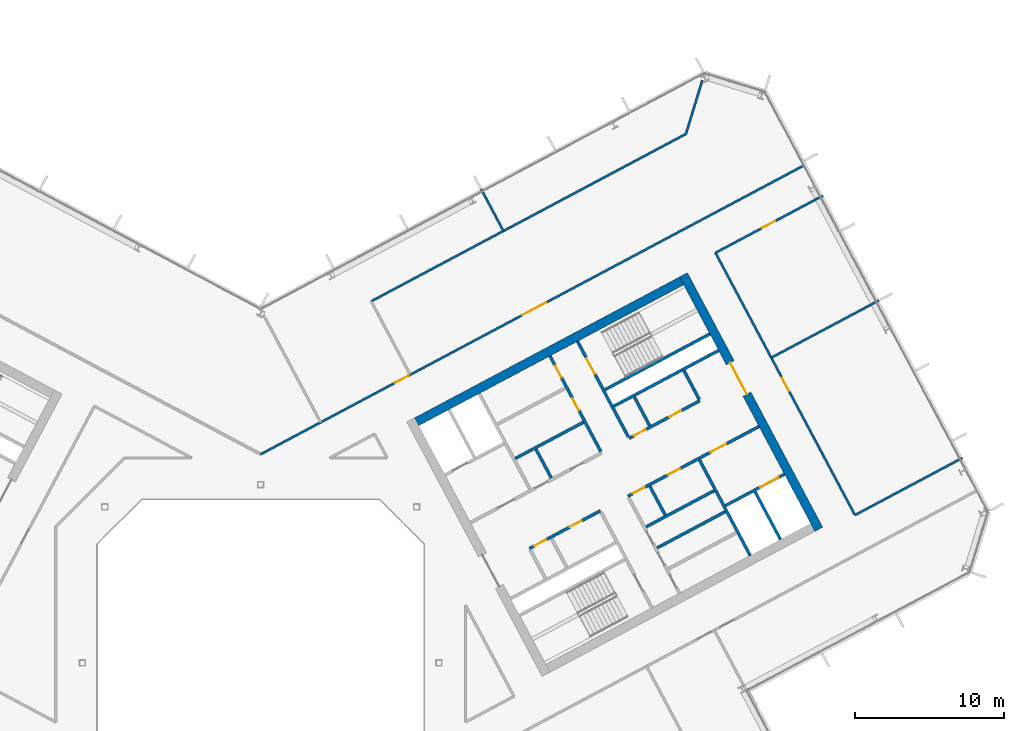
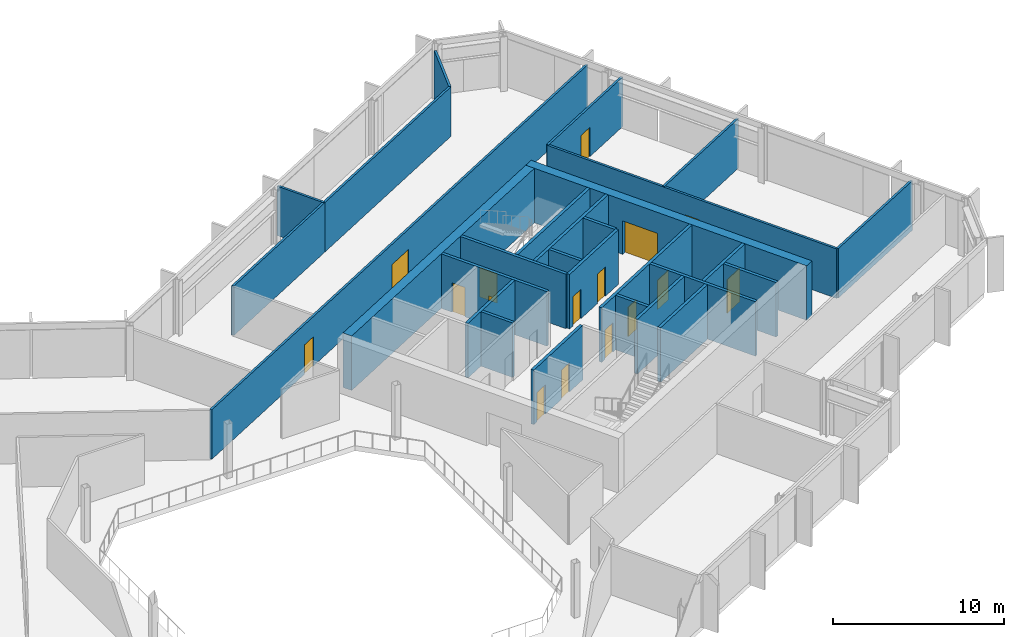
# One storey, part 16 of 26: 28 walls, 16 doors, 16 openings.
"""IFC4 building model written with IfcOpenShell, lengths in metres."""

from ifc_helpers import new_model, si_unit, direction, frame, frame_2d, origin, place, context, subcontext, project, spatial, rectangle, extrude, material, layer, layer_set, type_object, element, fill, save


model = new_model("IFC4")

# Units and contexts
model_context = context("Model", 3, precision=1e-05, world=origin(), true_north=direction((0.0, 1.0)))
body_context = subcontext(model_context, "Body", "Model", "MODEL_VIEW")
ifc_project = project(units=[si_unit("LENGTHUNIT", "METRE"), si_unit("AREAUNIT", "SQUARE_METRE"), si_unit("VOLUMEUNIT", "CUBIC_METRE"), si_unit("PLANEANGLEUNIT", "RADIAN"), si_unit("MASSUNIT", "GRAM", prefix="KILO")], contexts=[model_context])

# Site, building, storey
site_placement = place(None, origin())
site = spatial("IfcSite", under=ifc_project, at=site_placement, CompositionType="ELEMENT")
building_placement = place(site_placement, origin())
building = spatial("IfcBuilding", under=site, at=building_placement, Name="Cormorant Relay Tower", CompositionType="ELEMENT")
storey_placement = place(building_placement, frame((0.0, 0.0, 193.5)))
storey = spatial("IfcBuildingStorey", under=building, at=storey_placement, Name="L41", CompositionType="ELEMENT", Elevation=193.5)

# Walls
ifc_material_1 = material(Name="Concrete 40 MPa", Category="concrete")
ifc_layer_1 = layer(ifc_material_1, 0.199951171875)
ifc_layer_set_1 = layer_set([ifc_layer_1], Name="Core internal wall 200")
wall_type_1 = type_object("IfcWallType", Name="Core internal wall 200", PredefinedType="SOLIDWALL", material=ifc_layer_set_1)
for number, where, z_axis, x_axis, name in (
    (1, (19.568603515625, 12.443603515625, 0.0), (0.0, 0.0, 1.0), (-0.4694473164, 0.882960484464, 0.0), "L41 core B shaft and room wall"),
    (2, (27.236083984375, 9.951416015625, 0.0), (0.0, 0.0, 1.0), (-0.4694473164, 0.882960484464, 0.0), "L41 core B shaft and room wall"),
    (3, (26.19091796875, 15.964599609375, 0.0), (0.0, 0.0, 1.0), (-0.469533832133, 0.882914480843, 0.0), "L41 core B shaft and room wall"),
):
    element("IfcWall", number, at=place(storey_placement, frame(where, z_axis=z_axis, x_axis=x_axis)), inside=storey, type_object=wall_type_1, Name=name, PredefinedType="SOLIDWALL", context=body_context, shape_type="SweptSolid", body=[
        extrude(rectangle(XDim=2.199951171875, YDim=0.199951171875, at=frame_2d((1.10009765625, 0.0))), origin(), (0.0, 0.0, 1.0), 3.89990234375),
    ])
wall_1_placement = place(storey_placement, frame((26.692138671875, 7.73681640625, 0.0), z_axis=(0.0, 0.0, 1.0), x_axis=(0.882953967957, 0.469459572775, 0.0)))
element("IfcWall", 4, at=wall_1_placement, inside=storey, type_object=wall_type_1, Name="L41 core B shaft and room wall", PredefinedType="SOLIDWALL", context=body_context, shape_type="SweptSolid", body=[
    extrude(rectangle(XDim=5.199951171875, YDim=0.199951171875, at=frame_2d((2.60009765625, 0.0))), origin(), (0.0, 0.0, 1.0), 3.89990234375),
])

# Wall, openings, doors
ifc_material_2 = material(Name="Concrete 50 MPa", Category="concrete")
ifc_layer_2 = layer(ifc_material_2, 0.199951171875)
ifc_layer_set_2 = layer_set([ifc_layer_2], Name="Core shaft wall 200")
wall_type_2 = type_object("IfcWallType", Name="Core shaft wall 200", PredefinedType="SHEAR", material=ifc_layer_set_2)
wall_2_placement = place(storey_placement, frame((22.90625, 14.218017578125, 0.0), z_axis=(0.0, 0.0, 1.0), x_axis=(-0.469480409012, 0.88294288918, 0.0)))
wall_2 = element("IfcWall", 5, at=wall_2_placement, inside=storey, type_object=wall_type_2, Name="L41 core B shaft wall", PredefinedType="SHEAR", context=body_context, shape_type="SweptSolid", body=[
    extrude(rectangle(XDim=7.300048828125, YDim=0.199951171875, at=frame_2d((3.64990234375, 0.0))), origin(), (0.0, 0.0, 1.0), 3.89990234375),
])
opening_1_placement = place(wall_2_placement, frame((3.14990234375, 0.0, 0.0)))
opening_1 = element("IfcOpeningElement", 6, at=opening_1_placement, cuts=wall_2, Name="Opening CDD-249", PredefinedType="OPENING", context=body_context, shape_type="SweptSolid", body=[
    extrude(rectangle(XDim=0.89990234375, YDim=2.10009765625, at=frame_2d((0.449951171875, 1.050048828125))), frame((0.0, 0.10986328125, 0.0), z_axis=(0.0, -1.0, 0.0), x_axis=(1.0, 0.0, 0.0)), (0.0, 0.0, 1.0), 0.219970703125),
])
opening_2_placement = place(wall_2_placement, frame((5.64990234375, 0.0, 0.0)))
opening_2 = element("IfcOpeningElement", 7, at=opening_2_placement, cuts=wall_2, Name="Opening CDD-250", PredefinedType="OPENING", context=body_context, shape_type="SweptSolid", body=[
    extrude(rectangle(XDim=0.89990234375, YDim=2.10009765625, at=frame_2d((0.449951171875, 1.050048828125))), frame((0.0, 0.10986328125, 0.0), z_axis=(0.0, -1.0, 0.0), x_axis=(1.0, 0.0, 0.0)), (0.0, 0.0, 1.0), 0.219970703125),
])
ifc_material_3 = material(Name="Steel fire door", Category="steel")
door_type_1 = type_object("IfcDoorType", Name="Core room door 900x2100", OperationType="SINGLE_SWING_LEFT", PredefinedType="DOOR", material=ifc_material_3)
door_1_placement = place(opening_1_placement, frame((0.89990234375, 0.0, 0.0), z_axis=(0.0, 0.0, 1.0), x_axis=(-1.0, 0.0, 0.0)))
door_1 = element("IfcDoor", 8, at=door_1_placement, inside=storey, type_object=door_type_1, Name="Core room door 900x2100", OperationType="SINGLE_SWING_LEFT", OverallHeight=2.10009765625, OverallWidth=0.89990234375, PredefinedType="DOOR", context=body_context, shape_type="SweptSolid", body=[
    extrude(rectangle(XDim=0.89990234375, YDim=2.10009765625, at=frame_2d((0.449951171875, 1.050048828125))), frame((0.0, 0.02490234375, 0.0), z_axis=(0.0, -1.0, 0.0), x_axis=(1.0, 0.0, 0.0)), (0.0, 0.0, 1.0), 0.050048828125),
])
fill(opening_1, door_1)
door_2_placement = place(opening_2_placement, frame((0.89990234375, 0.0, 0.0), z_axis=(0.0, 0.0, 1.0), x_axis=(-1.0, 0.0, 0.0)))
door_2 = element("IfcDoor", 9, at=door_2_placement, inside=storey, type_object=door_type_1, Name="Core room door 900x2100", OperationType="SINGLE_SWING_LEFT", OverallHeight=2.10009765625, OverallWidth=0.89990234375, PredefinedType="DOOR", context=body_context, shape_type="SweptSolid", body=[
    extrude(rectangle(XDim=0.89990234375, YDim=2.10009765625, at=frame_2d((0.449951171875, 1.050048828125))), frame((0.0, 0.02490234375, 0.0), z_axis=(0.0, -1.0, 0.0), x_axis=(1.0, 0.0, 0.0)), (0.0, 0.0, 1.0), 0.050048828125),
])
fill(opening_2, door_2)

# Wall, opening, door
wall_3_placement = place(storey_placement, frame((24.760498046875, 15.2041015625, 0.0), z_axis=(0.0, 0.0, 1.0), x_axis=(-0.469494272526, 0.882935517501, 0.0)))
wall_3 = element("IfcWall", 10, at=wall_3_placement, inside=storey, type_object=wall_type_2, Name="L41 core B shaft wall", PredefinedType="SHEAR", context=body_context, shape_type="SweptSolid", body=[
    extrude(rectangle(XDim=7.2998046875, YDim=0.199951171875, at=frame_2d((3.64990234375, 0.0))), origin(), (0.0, 0.0, 1.0), 3.89990234375),
])
opening_3_placement = place(wall_3_placement, frame((4.800048828125, 0.0, 0.0)))
opening_3 = element("IfcOpeningElement", 11, at=opening_3_placement, cuts=wall_3, Name="Opening CDB-041", PredefinedType="OPENING", context=body_context, shape_type="SweptSolid", body=[
    extrude(rectangle(XDim=1.199951171875, YDim=2.10009765625, at=frame_2d((0.60009765625, 1.050048828125))), frame((0.0, 0.10986328125, 0.0), z_axis=(0.0, -1.0, 0.0), x_axis=(1.0, 0.0, 0.0)), (0.0, 0.0, 1.0), 0.219970703125),
])
ifc_material_4 = material(Name="Steel fire door", Category="steel")
door_type_2 = type_object("IfcDoorType", Name="Core stair door 1200x2100", OperationType="SINGLE_SWING_LEFT", PredefinedType="DOOR", material=ifc_material_4)
door_3_placement = place(opening_3_placement, frame((1.199951171875, 0.0, 0.0), z_axis=(0.0, 0.0, 1.0), x_axis=(-1.0, 0.0, 0.0)))
door_3 = element("IfcDoor", 12, at=door_3_placement, inside=storey, type_object=door_type_2, Name="Core stair door 1200x2100", OperationType="SINGLE_SWING_RIGHT", OverallHeight=2.10009765625, OverallWidth=1.199951171875, PredefinedType="DOOR", context=body_context, shape_type="SweptSolid", body=[
    extrude(rectangle(XDim=1.199951171875, YDim=2.10009765625, at=frame_2d((0.60009765625, 1.050048828125))), frame((0.0, 0.02490234375, 0.0), z_axis=(0.0, -1.0, 0.0), x_axis=(1.0, 0.0, 0.0)), (0.0, 0.0, 1.0), 0.050048828125),
])
fill(opening_3, door_3)

# Walls
wall_4_placement = place(storey_placement, frame((32.968017578125, 7.222900390625, 0.0), z_axis=(0.0, 0.0, 1.0), x_axis=(-0.469480409012, 0.88294288918, 0.0)))
element("IfcWall", 13, at=wall_4_placement, inside=storey, type_object=wall_type_2, Name="L41 core B shaft wall", PredefinedType="SHEAR", context=body_context, shape_type="SweptSolid", body=[
    extrude(rectangle(XDim=7.300048828125, YDim=0.199951171875, at=frame_2d((3.64990234375, 0.0))), origin(), (0.0, 0.0, 1.0), 3.89990234375),
])
wall_5_placement = place(storey_placement, frame((29.5283203125, 17.739013671875, 0.0), z_axis=(0.0, 0.0, 1.0), x_axis=(-0.469401318492, 0.882984938828, 0.0)))
element("IfcWall", 14, at=wall_5_placement, inside=storey, type_object=wall_type_2, Name="L41 core B shaft wall", PredefinedType="SHEAR", context=body_context, shape_type="SweptSolid", body=[
    extrude(rectangle(XDim=2.199951171875, YDim=0.199951171875, at=frame_2d((1.10009765625, 0.0))), origin(), (0.0, 0.0, 1.0), 3.89990234375),
])
wall_6_placement = place(storey_placement, frame((34.998779296875, 8.302734375, 0.0), z_axis=(0.0, 0.0, 1.0), x_axis=(-0.4694665462, 0.882950260207, 0.0)))
element("IfcWall", 15, at=wall_6_placement, inside=storey, type_object=wall_type_2, Name="L41 core B shaft wall", PredefinedType="SHEAR", context=body_context, shape_type="SweptSolid", body=[
    extrude(rectangle(XDim=3.650146484375, YDim=0.199951171875, at=frame_2d((1.8251953125, 0.0))), origin(), (0.0, 0.0, 1.0), 3.89990234375),
])

# Wall, opening, door
wall_7_placement = place(storey_placement, frame((31.295654296875, 10.5810546875, 0.0), z_axis=(0.0, 0.0, 1.0), x_axis=(0.882960433586, 0.469447412093, 0.0)))
wall_7 = element("IfcWall", 16, at=wall_7_placement, inside=storey, type_object=wall_type_2, Name="L41 core B shaft wall", PredefinedType="SHEAR", context=body_context, shape_type="SweptSolid", body=[
    extrude(rectangle(XDim=4.5, YDim=0.199951171875, at=frame_2d((2.25, 0.0))), origin(), (0.0, 0.0, 1.0), 3.89990234375),
])
opening_4_placement = place(wall_7_placement, frame((2.64990234375, 0.0, 0.0)))
opening_4 = element("IfcOpeningElement", 17, at=opening_4_placement, cuts=wall_7, Name="Opening LD3-016", PredefinedType="OPENING", context=body_context, shape_type="SweptSolid", body=[
    extrude(rectangle(XDim=1.39990234375, YDim=2.39990234375, at=frame_2d((0.699951171875, 1.199951171875))), frame((0.0, 0.10986328125, 0.0), z_axis=(0.0, -1.0, 0.0), x_axis=(1.0, 0.0, 0.0)), (0.0, 0.0, 1.0), 0.219970703125),
])
ifc_material_5 = material(Name="Stainless steel 316", Category="steel")
door_type_3 = type_object("IfcDoorType", Name="Lift landing door 1400x2400", OperationType="DOUBLE_DOOR_SLIDING", PredefinedType="DOOR", material=ifc_material_5)
door_4_placement = place(opening_4_placement, origin())
door_4 = element("IfcDoor", 18, at=door_4_placement, inside=storey, type_object=door_type_3, Name="SV2 landing door", OperationType="DOUBLE_DOOR_SLIDING", OverallHeight=2.39990234375, OverallWidth=1.39990234375, PredefinedType="DOOR", context=body_context, shape_type="SweptSolid", body=[
    extrude(rectangle(XDim=1.39990234375, YDim=2.39990234375, at=frame_2d((0.699951171875, 1.199951171875))), frame((0.0, 0.02490234375, 0.0), z_axis=(0.0, -1.0, 0.0), x_axis=(1.0, 0.0, 0.0)), (0.0, 0.0, 1.0), 0.050048828125),
])
fill(opening_4, door_4)

# Wall
wall_8_placement = place(storey_placement, frame((25.94091796875, 9.149658203125, 0.0), z_axis=(0.0, 0.0, 1.0), x_axis=(0.882953967957, 0.469459572775, 0.0)))
element("IfcWall", 19, at=wall_8_placement, inside=storey, type_object=wall_type_2, Name="L41 core B shaft wall", PredefinedType="SHEAR", context=body_context, shape_type="SweptSolid", body=[
    extrude(rectangle(XDim=5.199951171875, YDim=0.199951171875, at=frame_2d((2.60009765625, 0.0))), origin(), (0.0, 0.0, 1.0), 3.89990234375),
])

# Wall, openings, doors
wall_9_placement = place(storey_placement, frame((18.103759765625, 7.70068359375, 0.0), z_axis=(0.0, 0.0, 1.0), x_axis=(0.882952937579, 0.469461510692, 0.0)))
wall_9 = element("IfcWall", 20, at=wall_9_placement, inside=storey, type_object=wall_type_2, Name="L41 core B shaft wall", PredefinedType="SHEAR", context=body_context, shape_type="SweptSolid", body=[
    extrude(rectangle(XDim=5.400146484375, YDim=0.199951171875, at=frame_2d((2.7001953125, 0.0))), origin(), (0.0, 0.0, 1.0), 3.89990234375),
])
opening_5_placement = place(wall_9_placement, frame((0.360107421875, 0.0, 0.0)))
opening_5 = element("IfcOpeningElement", 21, at=opening_5_placement, cuts=wall_9, Name="Opening CDD-245", PredefinedType="OPENING", context=body_context, shape_type="SweptSolid", body=[
    extrude(rectangle(XDim=0.89990234375, YDim=2.10009765625, at=frame_2d((0.449951171875, 1.050048828125))), frame((0.0, 0.10986328125, 0.0), z_axis=(0.0, -1.0, 0.0), x_axis=(1.0, 0.0, 0.0)), (0.0, 0.0, 1.0), 0.219970703125),
])
opening_6_placement = place(wall_9_placement, frame((3.06005859375, 0.0, 0.0)))
opening_6 = element("IfcOpeningElement", 22, at=opening_6_placement, cuts=wall_9, Name="Opening CDD-246", PredefinedType="OPENING", context=body_context, shape_type="SweptSolid", body=[
    extrude(rectangle(XDim=0.89990234375, YDim=2.10009765625, at=frame_2d((0.449951171875, 1.050048828125))), frame((0.0, 0.10986328125, 0.0), z_axis=(0.0, -1.0, 0.0), x_axis=(1.0, 0.0, 0.0)), (0.0, 0.0, 1.0), 0.219970703125),
])
door_5_placement = place(opening_5_placement, frame((0.89990234375, 0.0, 0.0), z_axis=(0.0, 0.0, 1.0), x_axis=(-1.0, 0.0, 0.0)))
door_5 = element("IfcDoor", 23, at=door_5_placement, inside=storey, type_object=door_type_1, Name="Core room door 900x2100", OperationType="SINGLE_SWING_RIGHT", OverallHeight=2.10009765625, OverallWidth=0.89990234375, PredefinedType="DOOR", context=body_context, shape_type="SweptSolid", body=[
    extrude(rectangle(XDim=0.89990234375, YDim=2.10009765625, at=frame_2d((0.449951171875, 1.050048828125))), frame((0.0, 0.02490234375, 0.0), z_axis=(0.0, -1.0, 0.0), x_axis=(1.0, 0.0, 0.0)), (0.0, 0.0, 1.0), 0.050048828125),
])
fill(opening_5, door_5)
door_6_placement = place(opening_6_placement, frame((0.89990234375, 0.0, 0.0), z_axis=(0.0, 0.0, 1.0), x_axis=(-1.0, 0.0, 0.0)))
door_6 = element("IfcDoor", 24, at=door_6_placement, inside=storey, type_object=door_type_1, Name="Core room door 900x2100", OperationType="SINGLE_SWING_RIGHT", OverallHeight=2.10009765625, OverallWidth=0.89990234375, PredefinedType="DOOR", context=body_context, shape_type="SweptSolid", body=[
    extrude(rectangle(XDim=0.89990234375, YDim=2.10009765625, at=frame_2d((0.449951171875, 1.050048828125))), frame((0.0, 0.02490234375, 0.0), z_axis=(0.0, -1.0, 0.0), x_axis=(1.0, 0.0, 0.0)), (0.0, 0.0, 1.0), 0.050048828125),
])
fill(opening_6, door_6)

wall_10_placement = place(storey_placement, frame((24.72607421875, 11.2216796875, 0.0), z_axis=(0.0, 0.0, 1.0), x_axis=(0.882940221191, 0.469485426614, 0.0)))
wall_10 = element("IfcWall", 25, at=wall_10_placement, inside=storey, type_object=wall_type_2, Name="L41 core B shaft wall", PredefinedType="SHEAR", context=body_context, shape_type="SweptSolid", body=[
    extrude(rectangle(XDim=10.0, YDim=0.199951171875, at=frame_2d((5.0, 0.0))), origin(), (0.0, 0.0, 1.0), 3.89990234375),
])
opening_7_placement = place(wall_10_placement, frame((6.300048828125, 0.0, 0.0)))
opening_7 = element("IfcOpeningElement", 26, at=opening_7_placement, cuts=wall_10, Name="Opening CDC-036", PredefinedType="OPENING", context=body_context, shape_type="SweptSolid", body=[
    extrude(rectangle(XDim=1.199951171875, YDim=2.10009765625, at=frame_2d((0.60009765625, 1.050048828125))), frame((0.0, 0.10986328125, 0.0), z_axis=(0.0, -1.0, 0.0), x_axis=(1.0, 0.0, 0.0)), (0.0, 0.0, 1.0), 0.219970703125),
])
opening_8_placement = place(wall_10_placement, frame((0.360107421875, 0.0, 0.0)))
opening_8 = element("IfcOpeningElement", 27, at=opening_8_placement, cuts=wall_10, Name="Opening CDD-247", PredefinedType="OPENING", context=body_context, shape_type="SweptSolid", body=[
    extrude(rectangle(XDim=0.89990234375, YDim=2.10009765625, at=frame_2d((0.449951171875, 1.050048828125))), frame((0.0, 0.10986328125, 0.0), z_axis=(0.0, -1.0, 0.0), x_axis=(1.0, 0.0, 0.0)), (0.0, 0.0, 1.0), 0.219970703125),
])
opening_9_placement = place(wall_10_placement, frame((3.06005859375, 0.0, 0.0)))
opening_9 = element("IfcOpeningElement", 28, at=opening_9_placement, cuts=wall_10, Name="Opening CDD-248", PredefinedType="OPENING", context=body_context, shape_type="SweptSolid", body=[
    extrude(rectangle(XDim=0.89990234375, YDim=2.10009765625, at=frame_2d((0.449951171875, 1.050048828125))), frame((0.0, 0.10986328125, 0.0), z_axis=(0.0, -1.0, 0.0), x_axis=(1.0, 0.0, 0.0)), (0.0, 0.0, 1.0), 0.219970703125),
])
ifc_material_6 = material(Name="Steel fire door", Category="steel")
door_type_4 = type_object("IfcDoorType", Name="Core lobby door 1200x2100", OperationType="SINGLE_SWING_LEFT", PredefinedType="DOOR", material=ifc_material_6)
door_7_placement = place(opening_7_placement, frame((1.199951171875, 0.0, 0.0), z_axis=(0.0, 0.0, 1.0), x_axis=(-1.0, 0.0, 0.0)))
door_7 = element("IfcDoor", 29, at=door_7_placement, inside=storey, type_object=door_type_4, Name="Core lobby door 1200x2100", OperationType="SINGLE_SWING_RIGHT", OverallHeight=2.10009765625, OverallWidth=1.199951171875, PredefinedType="DOOR", context=body_context, shape_type="SweptSolid", body=[
    extrude(rectangle(XDim=1.199951171875, YDim=2.10009765625, at=frame_2d((0.60009765625, 1.050048828125))), frame((0.0, 0.02490234375, 0.0), z_axis=(0.0, -1.0, 0.0), x_axis=(1.0, 0.0, 0.0)), (0.0, 0.0, 1.0), 0.050048828125),
])
fill(opening_7, door_7)
door_8_placement = place(opening_8_placement, frame((0.89990234375, 0.0, 0.0), z_axis=(0.0, 0.0, 1.0), x_axis=(-1.0, 0.0, 0.0)))
door_8 = element("IfcDoor", 30, at=door_8_placement, inside=storey, type_object=door_type_1, Name="Core room door 900x2100", OperationType="SINGLE_SWING_RIGHT", OverallHeight=2.10009765625, OverallWidth=0.89990234375, PredefinedType="DOOR", context=body_context, shape_type="SweptSolid", body=[
    extrude(rectangle(XDim=0.89990234375, YDim=2.10009765625, at=frame_2d((0.449951171875, 1.050048828125))), frame((0.0, 0.02490234375, 0.0), z_axis=(0.0, -1.0, 0.0), x_axis=(1.0, 0.0, 0.0)), (0.0, 0.0, 1.0), 0.050048828125),
])
fill(opening_8, door_8)
door_9_placement = place(opening_9_placement, frame((0.89990234375, 0.0, 0.0), z_axis=(0.0, 0.0, 1.0), x_axis=(-1.0, 0.0, 0.0)))
door_9 = element("IfcDoor", 31, at=door_9_placement, inside=storey, type_object=door_type_1, Name="Core room door 900x2100", OperationType="SINGLE_SWING_RIGHT", OverallHeight=2.10009765625, OverallWidth=0.89990234375, PredefinedType="DOOR", context=body_context, shape_type="SweptSolid", body=[
    extrude(rectangle(XDim=0.89990234375, YDim=2.10009765625, at=frame_2d((0.449951171875, 1.050048828125))), frame((0.0, 0.02490234375, 0.0), z_axis=(0.0, -1.0, 0.0), x_axis=(1.0, 0.0, 0.0)), (0.0, 0.0, 1.0), 0.050048828125),
])
fill(opening_9, door_9)

wall_11_placement = place(storey_placement, frame((24.807373046875, 15.11572265625, 0.0), z_axis=(0.0, 0.0, 1.0), x_axis=(0.882942972946, 0.469480251476, 0.0)))
wall_11 = element("IfcWall", 32, at=wall_11_placement, inside=storey, type_object=wall_type_2, Name="L41 core B shaft wall", PredefinedType="SHEAR", context=body_context, shape_type="SweptSolid", body=[
    extrude(rectangle(XDim=5.39990234375, YDim=0.199951171875, at=frame_2d((2.699951171875, 0.0))), origin(), (0.0, 0.0, 1.0), 3.89990234375),
])
opening_10_placement = place(wall_11_placement, frame((0.360107421875, 0.0, 0.0)))
opening_10 = element("IfcOpeningElement", 33, at=opening_10_placement, cuts=wall_11, Name="Opening CDD-243", PredefinedType="OPENING", context=body_context, shape_type="SweptSolid", body=[
    extrude(rectangle(XDim=0.89990234375, YDim=2.10009765625, at=frame_2d((0.449951171875, 1.050048828125))), frame((0.0, 0.10986328125, 0.0), z_axis=(0.0, -1.0, 0.0), x_axis=(1.0, 0.0, 0.0)), (0.0, 0.0, 1.0), 0.219970703125),
])
opening_11_placement = place(wall_11_placement, frame((3.06005859375, 0.0, 0.0)))
opening_11 = element("IfcOpeningElement", 34, at=opening_11_placement, cuts=wall_11, Name="Opening CDD-244", PredefinedType="OPENING", context=body_context, shape_type="SweptSolid", body=[
    extrude(rectangle(XDim=0.89990234375, YDim=2.10009765625, at=frame_2d((0.449951171875, 1.050048828125))), frame((0.0, 0.10986328125, 0.0), z_axis=(0.0, -1.0, 0.0), x_axis=(1.0, 0.0, 0.0)), (0.0, 0.0, 1.0), 0.219970703125),
])
door_10_placement = place(opening_10_placement, origin())
door_10 = element("IfcDoor", 35, at=door_10_placement, inside=storey, type_object=door_type_1, Name="Core room door 900x2100", OperationType="SINGLE_SWING_LEFT", OverallHeight=2.10009765625, OverallWidth=0.89990234375, PredefinedType="DOOR", context=body_context, shape_type="SweptSolid", body=[
    extrude(rectangle(XDim=0.89990234375, YDim=2.10009765625, at=frame_2d((0.449951171875, 1.050048828125))), frame((0.0, 0.02490234375, 0.0), z_axis=(0.0, -1.0, 0.0), x_axis=(1.0, 0.0, 0.0)), (0.0, 0.0, 1.0), 0.050048828125),
])
fill(opening_10, door_10)
door_11_placement = place(opening_11_placement, frame((0.89990234375, 0.0, 0.0), z_axis=(0.0, 0.0, 1.0), x_axis=(-1.0, 0.0, 0.0)))
door_11 = element("IfcDoor", 36, at=door_11_placement, inside=storey, type_object=door_type_1, Name="Core room door 900x2100", OperationType="SINGLE_SWING_RIGHT", OverallHeight=2.10009765625, OverallWidth=0.89990234375, PredefinedType="DOOR", context=body_context, shape_type="SweptSolid", body=[
    extrude(rectangle(XDim=0.89990234375, YDim=2.10009765625, at=frame_2d((0.449951171875, 1.050048828125))), frame((0.0, 0.02490234375, 0.0), z_axis=(0.0, -1.0, 0.0), x_axis=(1.0, 0.0, 0.0)), (0.0, 0.0, 1.0), 0.050048828125),
])
fill(opening_11, door_11)

# Walls
wall_12_placement = place(storey_placement, frame((17.146728515625, 13.7607421875, 0.0), z_axis=(0.0, 0.0, 1.0), x_axis=(0.882964314875, 0.469440111896, 0.0)))
element("IfcWall", 37, at=wall_12_placement, inside=storey, type_object=wall_type_2, Name="L41 core B shaft wall", PredefinedType="SHEAR", context=body_context, shape_type="SweptSolid", body=[
    extrude(rectangle(XDim=5.2001953125, YDim=0.199951171875, at=frame_2d((2.60009765625, 0.0))), origin(), (0.0, 0.0, 1.0), 3.89990234375),
])
wall_13_placement = place(storey_placement, frame((23.76904296875, 17.28173828125, 0.0), z_axis=(0.0, 0.0, 1.0), x_axis=(0.882940221191, 0.469485426614, 0.0)))
element("IfcWall", 38, at=wall_13_placement, inside=storey, type_object=wall_type_2, Name="L41 core B shaft wall", PredefinedType="SHEAR", context=body_context, shape_type="SweptSolid", body=[
    extrude(rectangle(XDim=8.0, YDim=0.199951171875, at=frame_2d((4.0, 0.0))), origin(), (0.0, 0.0, 1.0), 3.89990234375),
])
wall_14_placement = place(storey_placement, frame((23.18212890625, 18.385498046875, 0.0), z_axis=(0.0, 0.0, 1.0), x_axis=(0.88295287151, 0.469461634952, 0.0)))
element("IfcWall", 39, at=wall_14_placement, inside=storey, type_object=wall_type_2, Name="L41 core B shaft wall", PredefinedType="SHEAR", context=body_context, shape_type="SweptSolid", body=[
    extrude(rectangle(XDim=7.999755859375, YDim=0.199951171875, at=frame_2d((4.0, 0.0))), origin(), (0.0, 0.0, 1.0), 3.89990234375),
])

# Wall, opening, door
ifc_material_7 = material(Name="Concrete 50 MPa", Category="concrete")
ifc_layer_3 = layer(ifc_material_7, 0.60009765625)
ifc_layer_set_3 = layer_set([ifc_layer_3], Name="Core wall 600")
wall_type_3 = type_object("IfcWallType", Name="Core wall 600", PredefinedType="SHEAR", material=ifc_layer_set_3)
wall_15_placement = place(storey_placement, frame((37.576171875, 8.99365234375, 0.0), z_axis=(0.0, 0.0, 1.0), x_axis=(-0.469478769487, 0.88294376095, 0.0)))
wall_15 = element("IfcWall", 40, at=wall_15_placement, inside=storey, type_object=wall_type_3, Name="L41 core B wall", PredefinedType="SHEAR", context=body_context, shape_type="SweptSolid", body=[
    extrude(rectangle(XDim=19.400146484375, YDim=0.60009765625, at=frame_2d((9.7001953125, 0.0))), origin(), (0.0, 0.0, 1.0), 3.89990234375),
])
opening_12_placement = place(wall_15_placement, frame((10.300048828125, 0.0, 0.0)))
opening_12 = element("IfcOpeningElement", 41, at=opening_12_placement, cuts=wall_15, Name="Opening CDA-043", PredefinedType="OPENING", context=body_context, shape_type="SweptSolid", body=[
    extrude(rectangle(XDim=2.39990234375, YDim=2.39990234375, at=frame_2d((1.199951171875, 1.199951171875))), frame((0.0, 0.31005859375, 0.0), z_axis=(0.0, -1.0, 0.0), x_axis=(1.0, 0.0, 0.0)), (0.0, 0.0, 1.0), 0.6201171875),
])
ifc_material_8 = material(Name="Steel fire door", Category="steel")
door_type_5 = type_object("IfcDoorType", Name="Core lobby door 2400x2400", OperationType="DOUBLE_DOOR_SINGLE_SWING", PredefinedType="DOOR", material=ifc_material_8)
door_12_placement = place(opening_12_placement, origin())
door_12 = element("IfcDoor", 42, at=door_12_placement, inside=storey, type_object=door_type_5, Name="Core lobby door 2400x2400", OperationType="DOUBLE_DOOR_SINGLE_SWING", OverallHeight=2.39990234375, OverallWidth=2.39990234375, PredefinedType="DOOR", context=body_context, shape_type="SweptSolid", body=[
    extrude(rectangle(XDim=2.39990234375, YDim=2.39990234375, at=frame_2d((1.199951171875, 1.199951171875))), frame((0.0, 0.02490234375, 0.0), z_axis=(0.0, -1.0, 0.0), x_axis=(1.0, 0.0, 0.0)), (0.0, 0.0, 1.0), 0.050048828125),
])
fill(opening_12, door_12)

# Wall
wall_16_placement = place(storey_placement, frame((10.5087890625, 16.23388671875, 0.0), z_axis=(0.0, 0.0, 1.0), x_axis=(0.88295010195, 0.469466843842, 0.0)))
element("IfcWall", 43, at=wall_16_placement, inside=storey, type_object=wall_type_3, Name="L41 core B wall", PredefinedType="SHEAR", context=body_context, shape_type="SweptSolid", body=[
    extrude(rectangle(XDim=20.199951171875, YDim=0.60009765625, at=frame_2d((10.10009765625, 0.0))), origin(), (0.0, 0.0, 1.0), 3.89990234375),
])

# Wall, openings, doors
ifc_material_9 = material(Name="Gypsum board fire partition")
ifc_layer_4 = layer(ifc_material_9, 0.14990234375)
ifc_layer_set_4 = layer_set([ifc_layer_4], Name="Corridor partition 150 EI 60")
wall_type_4 = type_object("IfcWallType", Name="Corridor partition 150 EI 60", PredefinedType="PARTITIONING", material=ifc_layer_set_4)
wall_17_placement = place(storey_placement, frame((0.0, 14.0439453125, 0.0), z_axis=(0.0, 0.0, 1.0), x_axis=(0.882962129795, 0.469444221764, 0.0)))
wall_17 = element("IfcWall", 44, at=wall_17_placement, inside=storey, type_object=wall_type_4, Name="wall/L41/part/012", PredefinedType="PARTITIONING", context=body_context, shape_type="SweptSolid", body=[
    extrude(rectangle(XDim=41.606689453125, YDim=0.14990234375, at=frame_2d((20.80322265625, 0.0))), origin(), (0.0, 0.0, 1.0), 3.5400390625),
])
opening_13_placement = place(wall_17_placement, frame((19.949951171875, 0.0, 0.0)))
opening_13 = element("IfcOpeningElement", 45, at=opening_13_placement, cuts=wall_17, Name="Opening DD-023", PredefinedType="OPENING", context=body_context, shape_type="SweptSolid", body=[
    extrude(rectangle(XDim=1.800048828125, YDim=2.10009765625, at=frame_2d((0.89990234375, 1.050048828125))), frame((0.0, 0.0849609375, 0.0), z_axis=(0.0, -1.0, 0.0), x_axis=(1.0, 0.0, 0.0)), (0.0, 0.0, 1.0), 0.169921875),
])
opening_14_placement = place(wall_17_placement, frame((10.25, 0.0, 0.0)))
opening_14 = element("IfcOpeningElement", 46, at=opening_14_placement, cuts=wall_17, Name="Opening DS-118", PredefinedType="OPENING", context=body_context, shape_type="SweptSolid", body=[
    extrude(rectangle(XDim=1.0, YDim=2.10009765625, at=frame_2d((0.5, 1.050048828125))), frame((0.0, 0.0849609375, 0.0), z_axis=(0.0, -1.0, 0.0), x_axis=(1.0, 0.0, 0.0)), (0.0, 0.0, 1.0), 0.169921875),
])
ifc_material_10 = material(Name="Timber door leaf", Category="wood")
door_type_6 = type_object("IfcDoorType", Name="Suite door 1000x2100", OperationType="SINGLE_SWING_LEFT", PredefinedType="DOOR", material=ifc_material_10)
door_13_placement = place(opening_14_placement, origin())
door_13 = element("IfcDoor", 47, at=door_13_placement, inside=storey, type_object=door_type_6, Name="door/L41/014", OperationType="SINGLE_SWING_RIGHT", OverallHeight=2.10009765625, OverallWidth=1.0, PredefinedType="DOOR", context=body_context, shape_type="SweptSolid", body=[
    extrude(rectangle(XDim=1.0, YDim=2.10009765625, at=frame_2d((0.5, 1.050048828125))), frame((0.0, 0.02490234375, 0.0), z_axis=(0.0, -1.0, 0.0), x_axis=(1.0, 0.0, 0.0)), (0.0, 0.0, 1.0), 0.050048828125),
])
fill(opening_14, door_13)
ifc_material_11 = material(Name="Timber door leaf", Category="wood")
door_type_7 = type_object("IfcDoorType", Name="Suite double door 1800x2100", OperationType="DOUBLE_DOOR_SINGLE_SWING", PredefinedType="DOOR", material=ifc_material_11)
door_14_placement = place(opening_13_placement, origin())
door_14 = element("IfcDoor", 48, at=door_14_placement, inside=storey, type_object=door_type_7, Name="door/L41/013", OperationType="DOUBLE_DOOR_SINGLE_SWING", OverallHeight=2.10009765625, OverallWidth=1.800048828125, PredefinedType="DOOR", context=body_context, shape_type="SweptSolid", body=[
    extrude(rectangle(XDim=1.800048828125, YDim=2.10009765625, at=frame_2d((0.89990234375, 1.050048828125))), frame((0.0, 0.02490234375, 0.0), z_axis=(0.0, -1.0, 0.0), x_axis=(1.0, 0.0, 0.0)), (0.0, 0.0, 1.0), 0.050048828125),
])
fill(opening_13, door_14)

# Wall, opening, door
wall_18_placement = place(storey_placement, frame((37.864013671875, 31.4580078125, 0.0), z_axis=(0.0, 0.0, 1.0), x_axis=(-0.882947223068, -0.469472258261, 0.0)))
wall_18 = element("IfcWall", 49, at=wall_18_placement, inside=storey, type_object=wall_type_4, Name="wall/L41/part/040", PredefinedType="PARTITIONING", context=body_context, shape_type="SweptSolid", body=[
    extrude(rectangle(XDim=8.200927734375, YDim=0.14990234375, at=frame_2d((4.1005859375, 0.0))), origin(), (0.0, 0.0, 1.0), 3.5400390625),
])
opening_15_placement = place(wall_18_placement, frame((3.64990234375, 0.0, 0.0)))
opening_15 = element("IfcOpeningElement", 50, at=opening_15_placement, cuts=wall_18, Name="Opening DS-122", PredefinedType="OPENING", context=body_context, shape_type="SweptSolid", body=[
    extrude(rectangle(XDim=1.0, YDim=2.10009765625, at=frame_2d((0.5, 1.050048828125))), frame((0.0, 0.0849609375, 0.0), z_axis=(0.0, -1.0, 0.0), x_axis=(1.0, 0.0, 0.0)), (0.0, 0.0, 1.0), 0.169921875),
])
door_15_placement = place(opening_15_placement, origin())
door_15 = element("IfcDoor", 51, at=door_15_placement, inside=storey, type_object=door_type_6, Name="door/L41/019", OperationType="SINGLE_SWING_RIGHT", OverallHeight=2.10009765625, OverallWidth=1.0, PredefinedType="DOOR", context=body_context, shape_type="SweptSolid", body=[
    extrude(rectangle(XDim=1.0, YDim=2.10009765625, at=frame_2d((0.5, 1.050048828125))), frame((0.0, 0.02490234375, 0.0), z_axis=(0.0, -1.0, 0.0), x_axis=(1.0, 0.0, 0.0)), (0.0, 0.0, 1.0), 0.050048828125),
])
fill(opening_15, door_15)

wall_19_placement = place(storey_placement, frame((30.623046875, 27.60791015625, 0.0), z_axis=(0.0, 0.0, 1.0), x_axis=(0.469489882812, -0.882937851685, 0.0)))
wall_19 = element("IfcWall", 52, at=wall_19_placement, inside=storey, type_object=wall_type_4, Name="wall/L41/part/041", PredefinedType="PARTITIONING", context=body_context, shape_type="SweptSolid", body=[
    extrude(rectangle(XDim=20.000244140625, YDim=0.14990234375, at=frame_2d((10.0, 0.0))), origin(), (0.0, 0.0, 1.0), 3.5400390625),
])
opening_16_placement = place(wall_19_placement, frame((9.550048828125, 0.0, 0.0)))
opening_16 = element("IfcOpeningElement", 53, at=opening_16_placement, cuts=wall_19, Name="Opening DS-121", PredefinedType="OPENING", context=body_context, shape_type="SweptSolid", body=[
    extrude(rectangle(XDim=1.0, YDim=2.10009765625, at=frame_2d((0.5, 1.050048828125))), frame((0.0, 0.0849609375, 0.0), z_axis=(0.0, -1.0, 0.0), x_axis=(1.0, 0.0, 0.0)), (0.0, 0.0, 1.0), 0.169921875),
])
door_16_placement = place(opening_16_placement, origin())
door_16 = element("IfcDoor", 54, at=door_16_placement, inside=storey, type_object=door_type_6, Name="door/L41/018", OperationType="SINGLE_SWING_LEFT", OverallHeight=2.10009765625, OverallWidth=1.0, PredefinedType="DOOR", context=body_context, shape_type="SweptSolid", body=[
    extrude(rectangle(XDim=1.0, YDim=2.10009765625, at=frame_2d((0.5, 1.050048828125))), frame((0.0, 0.02490234375, 0.0), z_axis=(0.0, -1.0, 0.0), x_axis=(1.0, 0.0, 0.0)), (0.0, 0.0, 1.0), 0.050048828125),
])
fill(opening_16, door_16)

# Walls
wall_20_placement = place(storey_placement, frame((40.012939453125, 9.948974609375, 0.0), z_axis=(0.0, 0.0, 1.0), x_axis=(0.882920973231, 0.4695216236, 0.0)))
element("IfcWall", 55, at=wall_20_placement, inside=storey, type_object=wall_type_4, Name="wall/L41/part/042", PredefinedType="PARTITIONING", context=body_context, shape_type="SweptSolid", body=[
    extrude(rectangle(XDim=8.199951171875, YDim=0.14990234375, at=frame_2d((4.10009765625, 0.0))), origin(), (0.0, 0.0, 1.0), 3.5400390625),
])
ifc_material_12 = material(Name="Gypsum board partition")
ifc_layer_5 = layer(ifc_material_12, 0.14990234375)
ifc_layer_set_5 = layer_set([ifc_layer_5], Name="Tenant partition 150")
wall_type_5 = type_object("IfcWallType", Name="Tenant partition 150", PredefinedType="PARTITIONING", material=ifc_layer_set_5)
wall_21_placement = place(storey_placement, frame((7.443115234375, 24.343017578125, 0.0), z_axis=(0.0, 0.0, 1.0), x_axis=(0.882919378886, 0.469524621705, 0.0)))
element("IfcWall", 56, at=wall_21_placement, inside=storey, type_object=wall_type_5, Name="wall/L41/part/030", PredefinedType="PARTITIONING", context=body_context, shape_type="SweptSolid", body=[
    extrude(rectangle(XDim=10.082275390625, YDim=0.14990234375, at=frame_2d((5.041015625, 0.0))), origin(), (0.0, 0.0, 1.0), 3.5400390625),
])
wall_22_placement = place(storey_placement, frame((14.843994140625, 31.903076171875, 0.0), z_axis=(0.0, 0.0, 1.0), x_axis=(0.469051096607, -0.883171030306, 0.0)))
element("IfcWall", 57, at=wall_22_placement, inside=storey, type_object=wall_type_5, Name="wall/L41/part/036", PredefinedType="PARTITIONING", context=body_context, shape_type="SweptSolid", body=[
    extrude(rectangle(XDim=3.199951171875, YDim=0.14990234375, at=frame_2d((1.60009765625, 0.0))), origin(), (0.0, 0.0, 1.0), 3.5400390625),
])
wall_23_placement = place(storey_placement, frame((16.344970703125, 29.076904296875, 0.0), z_axis=(0.0, 0.0, 1.0), x_axis=(0.882962129602, 0.469444222128, 0.0)))
element("IfcWall", 58, at=wall_23_placement, inside=storey, type_object=wall_type_5, Name="wall/L41/part/037", PredefinedType="PARTITIONING", context=body_context, shape_type="SweptSolid", body=[
    extrude(rectangle(XDim=13.9169921875, YDim=0.14990234375, at=frame_2d((6.95849609375, 0.0))), origin(), (0.0, 0.0, 1.0), 3.5400390625),
])
wall_24_placement = place(storey_placement, frame((28.633056640625, 35.610107421875, 0.0), z_axis=(0.0, 0.0, 1.0), x_axis=(0.292294142097, 0.956328465798, 0.0)))
element("IfcWall", 59, at=wall_24_placement, inside=storey, type_object=wall_type_5, Name="wall/L41/part/038", PredefinedType="PARTITIONING", context=body_context, shape_type="SweptSolid", body=[
    extrude(rectangle(XDim=3.773681640625, YDim=0.14990234375, at=frame_2d((1.88671875, 0.0))), origin(), (0.0, 0.0, 1.0), 3.5400390625),
])
wall_25_placement = place(storey_placement, frame((41.618896484375, 24.39501953125, 0.0), z_axis=(0.0, 0.0, 1.0), x_axis=(-0.882920973231, -0.4695216236, 0.0)))
element("IfcWall", 60, at=wall_25_placement, inside=storey, type_object=wall_type_5, Name="wall/L41/part/043", PredefinedType="PARTITIONING", context=body_context, shape_type="SweptSolid", body=[
    extrude(rectangle(XDim=8.199951171875, YDim=0.14990234375, at=frame_2d((4.10009765625, 0.0))), origin(), (0.0, 0.0, 1.0), 3.5400390625),
])

save(model, "model.ifc")
